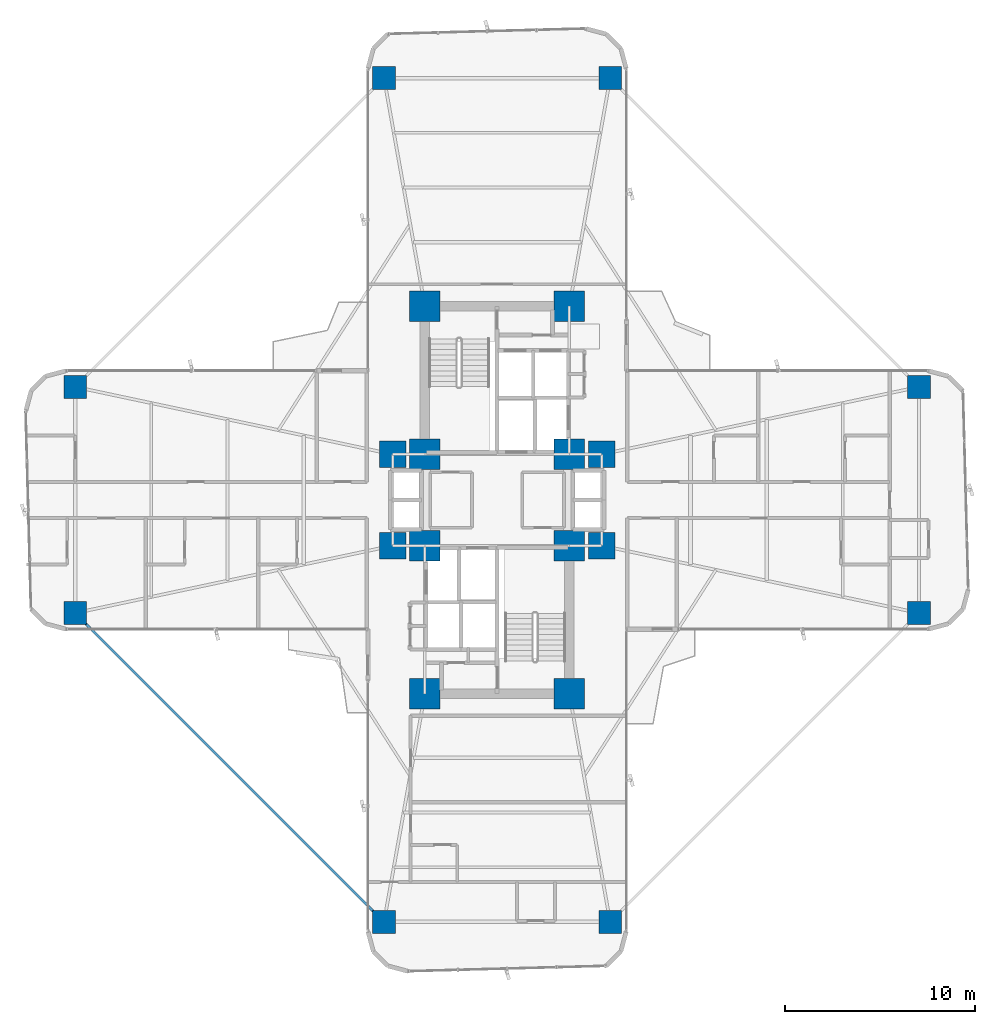
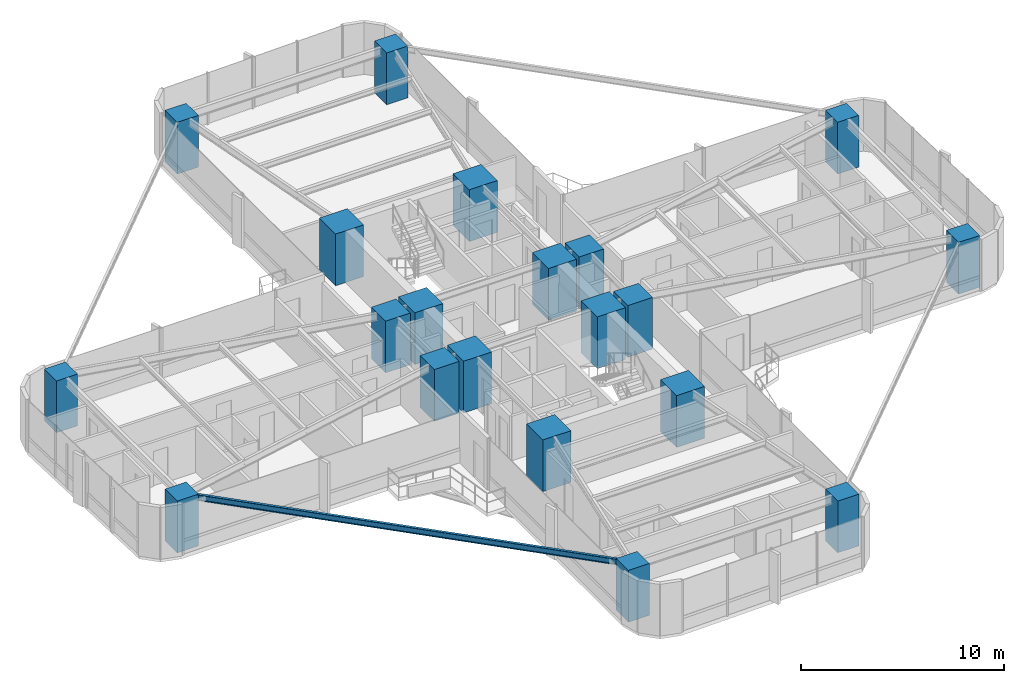
# One storey, part 1 of 25: 20 columns, 1 beam.
"""IFC4 building model written with IfcOpenShell, lengths in metres."""

from ifc_helpers import new_model, si_unit, direction, frame, origin, origin_2d, place, context, subcontext, project, spatial, rectangle, i_section, extrude, source, transform, mapped, material, material_profile, profile_set, type_object, element, save


model = new_model("IFC4")

# Units and contexts
model_context = context("Model", 3, precision=1e-05, world=origin(), true_north=direction((0.0, 1.0)))
body_context = subcontext(model_context, "Body", "Model", "MODEL_VIEW")
ifc_project = project(units=[si_unit("LENGTHUNIT", "METRE"), si_unit("AREAUNIT", "SQUARE_METRE"), si_unit("VOLUMEUNIT", "CUBIC_METRE"), si_unit("PLANEANGLEUNIT", "RADIAN"), si_unit("MASSUNIT", "GRAM", prefix="KILO")], contexts=[model_context])

# Site, building, storey
site_placement = place(None, origin())
site = spatial("IfcSite", under=ifc_project, at=site_placement, CompositionType="ELEMENT")
building_placement = place(site_placement, origin())
building = spatial("IfcBuilding", under=site, at=building_placement, Name="Sahyath Konkavel Grand Hotel", CompositionType="ELEMENT")
storey_placement = place(building_placement, frame((0.0, 0.0, 57.75)))
storey = spatial("IfcBuildingStorey", under=building, at=storey_placement, Name="L15", CompositionType="ELEMENT", Elevation=57.75)

# Columns
ifc_material_1 = material(Name="Concrete C70/85", Category="concrete")
ifc_material_profile_1 = material_profile(ifc_material_1, rectangle(XDim=1.60009765625, YDim=1.60009765625, at=origin_2d()), Name="RC 1600x1600")
ifc_profile_set_1 = profile_set([ifc_material_profile_1], Name="Concrete C70/85")
column_type_1 = type_object("IfcColumnType", Name="COL-RC1600", PredefinedType="COLUMN", material=ifc_profile_set_1)
shared_shape_1 = source(origin(), body_context, "Body", "SweptSolid", [
    extrude(rectangle(XDim=1.60009765625, YDim=1.60009765625, at=origin_2d()), origin(), (0.0, 0.0, 1.0), 3.110107421875),
])
for number, where, z_axis, x_axis, name in (
    (1, (-3.800048828125, 2.39990234375, 0.0), (0.0, 0.0, 1.0), (1.0, 0.0, 0.0), "L15 Core Boundary Column NC-SW"),
    (2, (3.800048828125, 2.39990234375, 0.0), (0.0, 0.0, 1.0), (1.0, 0.0, 0.0), "L15 Core Boundary Column NC-SE"),
    (3, (-3.800048828125, 10.199951171875, 0.0), (0.0, 0.0, 1.0), (1.0, 0.0, 0.0), "L15 Core Boundary Column NC-NW"),
    (4, (3.800048828125, 10.199951171875, 0.0), (0.0, 0.0, 1.0), (1.0, 0.0, 0.0), "L15 Core Boundary Column NC-NE"),
    (5, (-3.800048828125, -2.39990234375, 0.0), (0.0, 0.0, 1.0), (1.0, 0.0, 0.0), "L15 Core Boundary Column SC-NW"),
    (6, (3.800048828125, -2.39990234375, 0.0), (0.0, 0.0, 1.0), (1.0, 0.0, 0.0), "L15 Core Boundary Column SC-NE"),
    (7, (-3.800048828125, -10.199951171875, 0.0), (0.0, 0.0, 1.0), (1.0, 0.0, 0.0), "L15 Core Boundary Column SC-SW"),
    (8, (3.800048828125, -10.199951171875, 0.0), (0.0, 0.0, 1.0), (1.0, 0.0, 0.0), "L15 Core Boundary Column SC-SE"),
):
    element("IfcColumn", number, at=place(storey_placement, frame(where, z_axis=z_axis, x_axis=x_axis)), inside=storey, type_object=column_type_1, Name=name, PredefinedType="COLUMN", context=body_context, shape_type="MappedRepresentation", body=[
        mapped(shared_shape_1, transform((0.0, 0.0, 0.0), scale=1.0)),
    ])
ifc_material_profile_2 = material_profile(ifc_material_1, rectangle(XDim=1.39990234375, YDim=1.39990234375, at=origin_2d()), Name="RC 1400x1400")
ifc_profile_set_2 = profile_set([ifc_material_profile_2], Name="Concrete C70/85")
column_type_2 = type_object("IfcColumnType", Name="COL-RC1400", PredefinedType="COLUMN", material=ifc_profile_set_2)
shared_shape_2 = source(origin(), body_context, "Body", "SweptSolid", [
    extrude(rectangle(XDim=1.39990234375, YDim=1.39990234375, at=origin_2d()), origin(), (0.0, 0.0, 1.0), 3.110107421875),
])
for number, where, z_axis, x_axis, name in (
    (9, (5.5, 2.39990234375, 0.0), (0.0, 0.0, 1.0), (1.0, 0.0, 0.0), "L15 Central Spine Column HB-NE"),
    (10, (-5.5, 2.39990234375, 0.0), (0.0, 0.0, 1.0), (1.0, 0.0, 0.0), "L15 Central Spine Column HB-NW"),
    (11, (5.5, -2.39990234375, 0.0), (0.0, 0.0, 1.0), (1.0, 0.0, 0.0), "L15 Central Spine Column HB-SE"),
    (12, (-5.5, -2.39990234375, 0.0), (0.0, 0.0, 1.0), (1.0, 0.0, 0.0), "L15 Central Spine Column HB-SW"),
):
    element("IfcColumn", number, at=place(storey_placement, frame(where, z_axis=z_axis, x_axis=x_axis)), inside=storey, type_object=column_type_2, Name=name, PredefinedType="COLUMN", context=body_context, shape_type="MappedRepresentation", body=[
        mapped(shared_shape_2, transform((0.0, 0.0, 0.0), scale=1.0)),
    ])
ifc_material_2 = material(Name="Concrete C50/60", Category="concrete")
ifc_material_profile_3 = material_profile(ifc_material_2, rectangle(XDim=1.199951171875, YDim=1.199951171875, at=origin_2d()), Name="RC 1200x1200")
ifc_profile_set_3 = profile_set([ifc_material_profile_3], Name="Concrete C50/60")
column_type_3 = type_object("IfcColumnType", Name="COL-RC1200", PredefinedType="COLUMN", material=ifc_profile_set_3)
shared_shape_3 = source(origin(), body_context, "Body", "SweptSolid", [
    extrude(rectangle(XDim=1.199951171875, YDim=1.199951171875, at=origin_2d()), origin(), (0.0, 0.0, 1.0), 3.110107421875),
])
for number, where, z_axis, x_axis, name in (
    (13, (22.199951171875, -5.949951171875, 0.0), (0.0, 0.0, 1.0), (1.0, 0.0, 0.0), "L15 Cruciform Wing Column WC-EA"),
    (14, (22.199951171875, 5.949951171875, 0.0), (0.0, 0.0, 1.0), (1.0, 0.0, 0.0), "L15 Cruciform Wing Column WC-EB"),
    (15, (5.949951171875, 22.199951171875, 0.0), (0.0, 0.0, 1.0), (1.0, 0.0, 0.0), "L15 Cruciform Wing Column WC-NA"),
    (16, (-5.949951171875, 22.199951171875, 0.0), (0.0, 0.0, 1.0), (1.0, 0.0, 0.0), "L15 Cruciform Wing Column WC-NB"),
    (17, (-22.199951171875, 5.949951171875, 0.0), (0.0, 0.0, 1.0), (1.0, 0.0, 0.0), "L15 Cruciform Wing Column WC-WA"),
    (18, (-22.199951171875, -5.949951171875, 0.0), (0.0, 0.0, 1.0), (1.0, 0.0, 0.0), "L15 Cruciform Wing Column WC-WB"),
    (19, (-5.949951171875, -22.199951171875, 0.0), (0.0, 0.0, 1.0), (1.0, 0.0, 0.0), "L15 Cruciform Wing Column WC-SA"),
    (20, (5.949951171875, -22.199951171875, 0.0), (0.0, 0.0, 1.0), (1.0, 0.0, 0.0), "L15 Cruciform Wing Column WC-SB"),
):
    element("IfcColumn", number, at=place(storey_placement, frame(where, z_axis=z_axis, x_axis=x_axis)), inside=storey, type_object=column_type_3, Name=name, PredefinedType="COLUMN", context=body_context, shape_type="MappedRepresentation", body=[
        mapped(shared_shape_3, transform((0.0, 0.0, 0.0), scale=1.0)),
    ])

# Beam
ifc_material_3 = material(Name="Steel E350", Category="steel")
ifc_material_profile_4 = material_profile(ifc_material_3, i_section(OverallWidth=0.139892578125, OverallDepth=0.35009765625, WebThickness=0.008056640625, FlangeThickness=0.01416015625, FilletRadius=0.013916015625, at=origin_2d()), Name="ISMB 350")
ifc_profile_set_4 = profile_set([ifc_material_profile_4], Name="Steel E350")
beam_type = type_object("IfcBeamType", Name="BM-ISMB350", PredefinedType="BEAM", material=ifc_profile_set_4)
shared_shape_4 = source(origin(), body_context, "Body", "SweptSolid", [
    extrude(i_section(OverallWidth=0.139892578125, OverallDepth=0.35009765625, WebThickness=0.008056640625, FlangeThickness=0.01416015625, FilletRadius=0.013916015625, at=origin_2d()), origin(), (0.0, 0.0, 1.0), 22.98095703125),
])
beam_placement = place(storey_placement, frame((-22.199951171875, -5.949951171875, 2.93505859375), z_axis=(0.707106781187, -0.707106781187, 0.0), x_axis=(0.707106781187, 0.707106781187, 0.0)))
element("IfcBeam", 21, at=beam_placement, inside=storey, type_object=beam_type, Name="L15 Re-Entrant Tie Beam SW", PredefinedType="BEAM", context=body_context, shape_type="MappedRepresentation", body=[
    mapped(shared_shape_4, transform((0.0, 0.0, 0.0), scale=1.0)),
])

save(model, "model.ifc")
